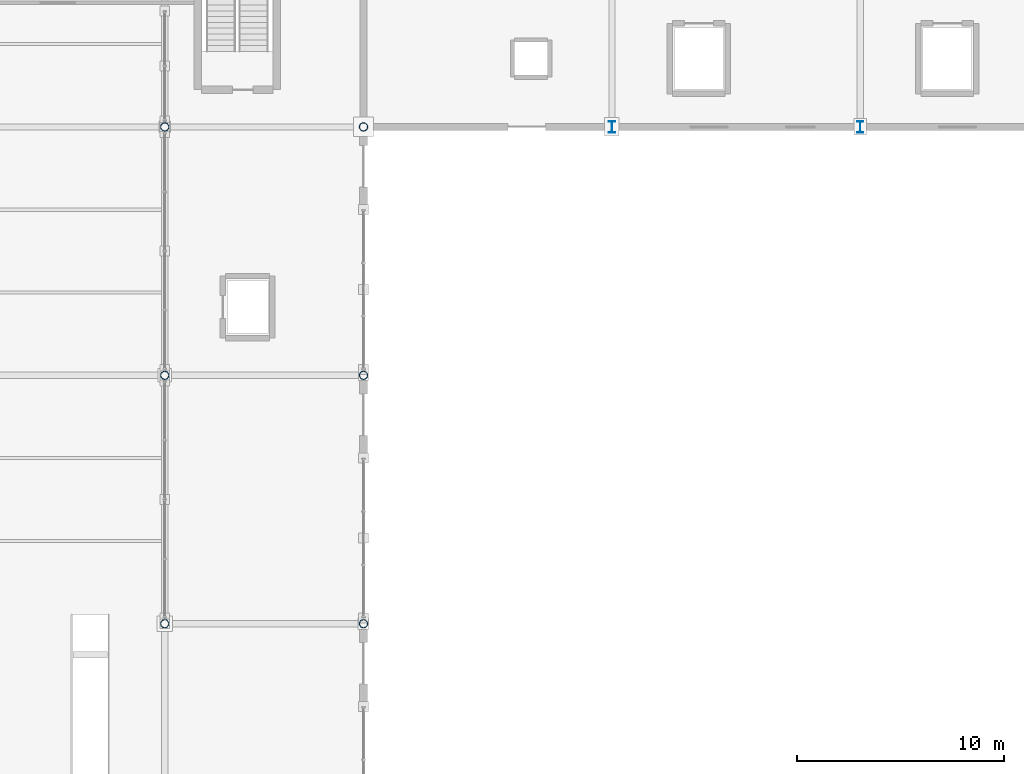
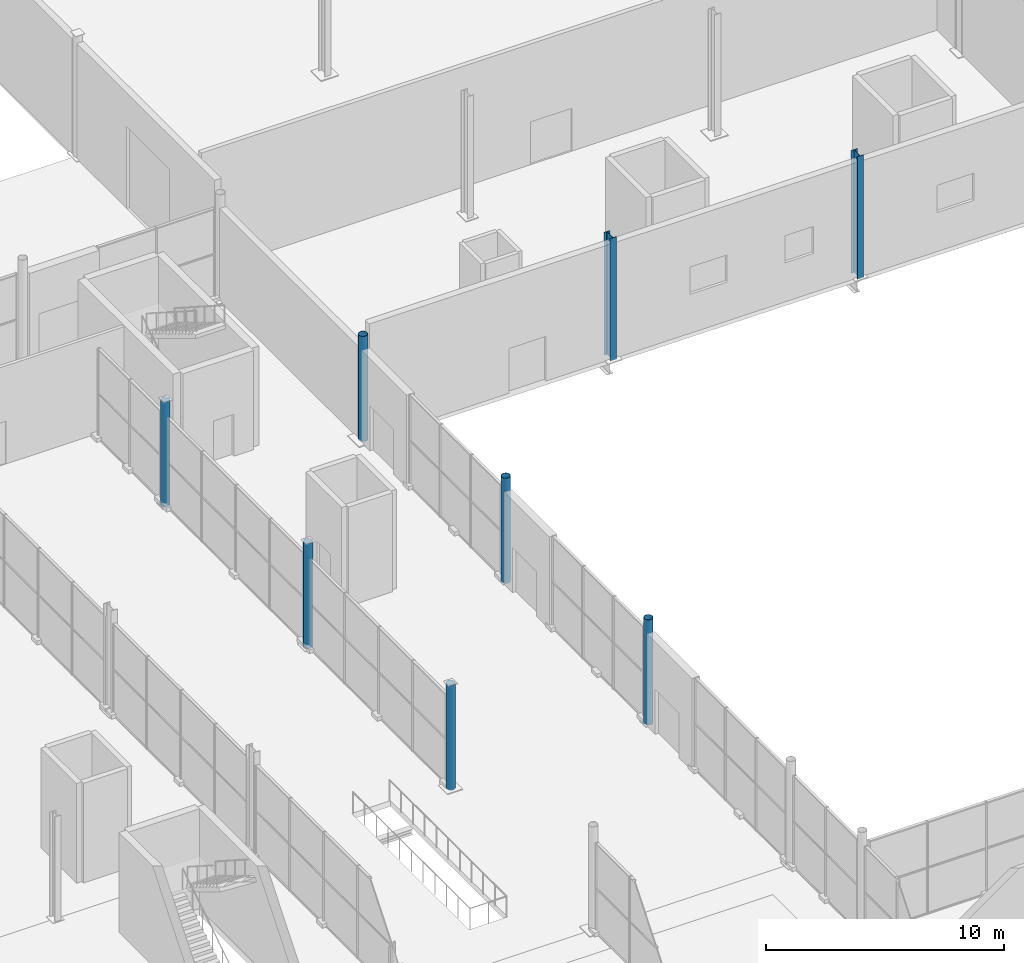
# One storey, part 13 of 196: 8 columns.
"""IFC4 building model written with IfcOpenShell, lengths in metres."""

from ifc_helpers import new_model, si_unit, direction, frame, origin, origin_2d, place, context, subcontext, project, spatial, hollow_circle, i_section, extrude, material, material_profile, profile_set, type_object, element, save


model = new_model("IFC4")

# Units and contexts
model_context = context("Model", 3, precision=1e-05, world=origin(), true_north=direction((0.0, 1.0)))
body_context = subcontext(model_context, "Body", "Model", "MODEL_VIEW")
ifc_project = project(units=[si_unit("LENGTHUNIT", "METRE"), si_unit("AREAUNIT", "SQUARE_METRE"), si_unit("VOLUMEUNIT", "CUBIC_METRE"), si_unit("PLANEANGLEUNIT", "RADIAN"), si_unit("MASSUNIT", "GRAM", prefix="KILO")], contexts=[model_context])

# Site, building, storey
site_placement = place(None, origin())
site = spatial("IfcSite", under=ifc_project, at=site_placement, CompositionType="ELEMENT")
building_placement = place(site_placement, origin())
building = spatial("IfcBuilding", under=site, at=building_placement, Name="Merenkruunu Market Hall", CompositionType="ELEMENT")
storey_placement = place(building_placement, origin())
storey = spatial("IfcBuildingStorey", under=building, at=storey_placement, Name="L00", CompositionType="ELEMENT", Elevation=0.0)

# Columns
ifc_material_1 = material(Name="Steel S355J2", Category="steel")
ifc_material_profile_1 = material_profile(ifc_material_1, i_section(OverallWidth=0.300048828125, OverallDepth=0.5400390625, WebThickness=0.012451171875, FlangeThickness=0.02392578125, FilletRadius=0.027099609375, at=origin_2d()), Name="HEA 550")
ifc_profile_set_1 = profile_set([ifc_material_profile_1], Name="Steel S355J2")
column_type_1 = type_object("IfcColumnType", Name="Structural Column C06", PredefinedType="COLUMN", material=ifc_profile_set_1)
for number, where, z_axis, x_axis, name in (
    (1, (88.800048828125, 87.60009765625, 0.0), (0.0, 0.0, 1.0), (1.0, 0.0, 0.0), "COL-L00-K-10"),
    (2, (100.800048828125, 87.60009765625, 0.0), (0.0, 0.0, 1.0), (1.0, 0.0, 0.0), "COL-L00-L-10"),
):
    element("IfcColumn", number, at=place(storey_placement, frame(where, z_axis=z_axis, x_axis=x_axis)), inside=storey, type_object=column_type_1, Name=name, PredefinedType="COLUMN", context=body_context, shape_type="SweptSolid", body=[
        extrude(i_section(OverallWidth=0.300048828125, OverallDepth=0.5400390625, WebThickness=0.012451171875, FlangeThickness=0.02392578125, FilletRadius=0.027099609375, at=origin_2d()), origin(), (0.0, 0.0, 1.0), 6.300048828125),
    ])
ifc_material_2 = material(Name="Steel S355ML", Category="steel")
ifc_material_profile_2 = material_profile(ifc_material_2, hollow_circle(Radius=0.203125, WallThickness=0.01611328125, at=origin_2d()), Name="CHS 406.4x16")
ifc_profile_set_2 = profile_set([ifc_material_profile_2], Name="Steel S355ML")
column_type_2 = type_object("IfcColumnType", Name="Structural Column C12", PredefinedType="COLUMN", material=ifc_profile_set_2)
for number, where, z_axis, x_axis, name in (
    (3, (67.199951171875, 63.60009765625, 0.0), (0.0, 0.0, 1.0), (1.0, 0.0, 0.0), "COL-L00-H-08"),
    (4, (67.199951171875, 75.60009765625, 0.0), (0.0, 0.0, 1.0), (1.0, 0.0, 0.0), "COL-L00-H-09"),
    (5, (67.199951171875, 87.60009765625, 0.0), (0.0, 0.0, 1.0), (1.0, 0.0, 0.0), "COL-L00-H-10"),
    (6, (76.800048828125, 63.60009765625, 0.0), (0.0, 0.0, 1.0), (1.0, 0.0, 0.0), "COL-L00-J-08"),
    (7, (76.800048828125, 75.60009765625, 0.0), (0.0, 0.0, 1.0), (1.0, 0.0, 0.0), "COL-L00-J-09"),
    (8, (76.800048828125, 87.60009765625, 0.0), (0.0, 0.0, 1.0), (1.0, 0.0, 0.0), "COL-L00-J-10"),
):
    element("IfcColumn", number, at=place(storey_placement, frame(where, z_axis=z_axis, x_axis=x_axis)), inside=storey, type_object=column_type_2, Name=name, PredefinedType="COLUMN", context=body_context, shape_type="SweptSolid", body=[
        extrude(hollow_circle(Radius=0.203125, WallThickness=0.01611328125, at=origin_2d()), origin(), (0.0, 0.0, 1.0), 5.39990234375),
    ])

save(model, "model.ifc")
